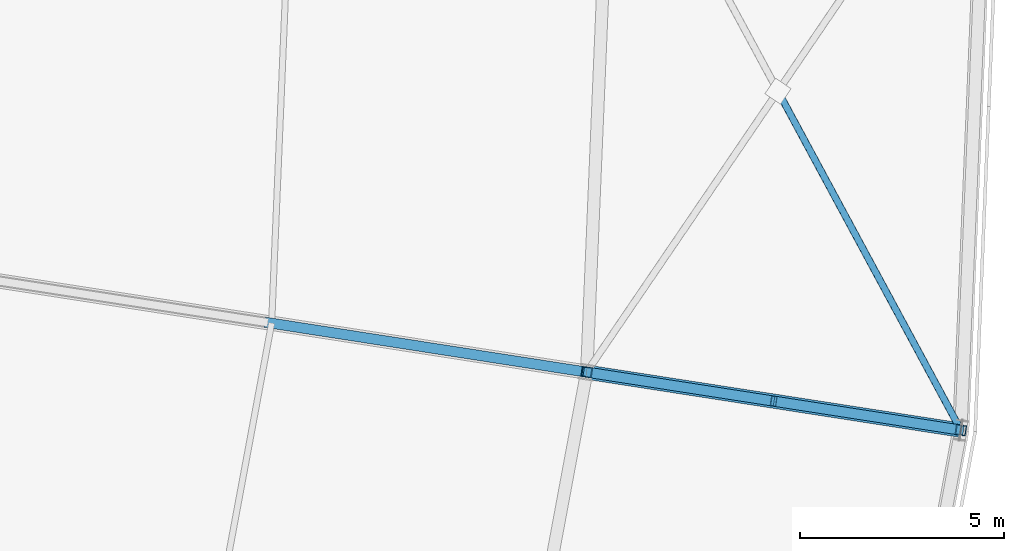
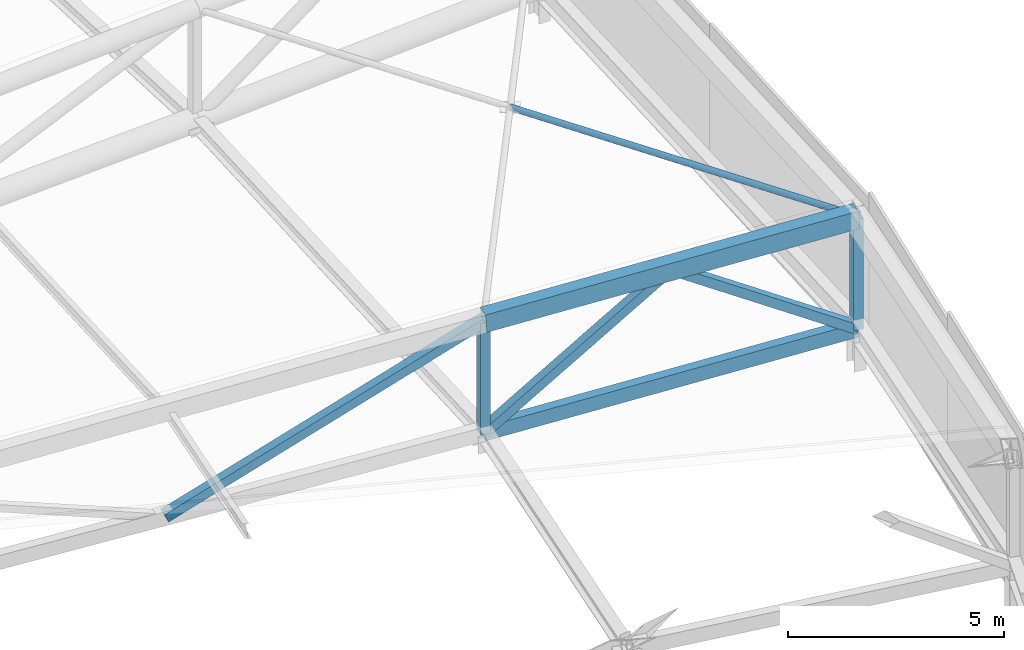
# One storey, part 70 of 143: 6 members, 2 beams.
"""IFC4 building model written with IfcOpenShell, lengths in metres."""

from ifc_helpers import new_model, si_unit, direction, frame, origin, origin_2d, place, context, subcontext, project, spatial, hollow_rectangle, hollow_circle, extrude, material, material_profile, profile_set, type_object, element, save


model = new_model("IFC4")

# Units and contexts
model_context = context("Model", 3, precision=1e-05, world=origin(), true_north=direction((0.0, 1.0)))
body_context = subcontext(model_context, "Body", "Model", "MODEL_VIEW")
ifc_project = project(units=[si_unit("LENGTHUNIT", "METRE"), si_unit("AREAUNIT", "SQUARE_METRE"), si_unit("VOLUMEUNIT", "CUBIC_METRE"), si_unit("PLANEANGLEUNIT", "RADIAN"), si_unit("MASSUNIT", "GRAM", prefix="KILO")], contexts=[model_context])

# Site, building, storey
site_placement = place(None, origin())
site = spatial("IfcSite", under=ifc_project, at=site_placement, CompositionType="ELEMENT")
building_placement = place(site_placement, origin())
building = spatial("IfcBuilding", under=site, at=building_placement, Name="Mphavela Belvedere Stadium", CompositionType="ELEMENT")
storey_placement = place(building_placement, frame((0.0, 0.0, 28.800048828125)))
storey = spatial("IfcBuildingStorey", under=building, at=storey_placement, Name="RF", CompositionType="ELEMENT", Elevation=28.800048828125)

# Beams
ifc_material_1 = material(Name="Steel S355", Category="steel")
ifc_material_profile_1 = material_profile(ifc_material_1, hollow_rectangle(XDim=0.25, YDim=0.39990234375, WallThickness=0.01611328125, at=origin_2d()), Name="RHS 400x250x16")
ifc_profile_set_1 = profile_set([ifc_material_profile_1], Name="Steel S355")
beam_type_1 = type_object("IfcBeamType", Name="BM-TRUSS-BC2", PredefinedType="BEAM", material=ifc_profile_set_1)
beam_1_placement = place(storey_placement, frame((217.155517578125, 71.155029296875, 1.074462890625), z_axis=(-0.986157749242, 0.152968710897, -0.063980208632), x_axis=(-0.153282761586, -0.988182369303, 0.0)))
element("IfcBeam", 1, at=beam_1_placement, inside=storey, type_object=beam_type_1, Name="Radial roof truss RT-48 bottom chord 1", PredefinedType="BEAM", context=body_context, shape_type="SweptSolid", body=[
    extrude(hollow_rectangle(XDim=0.25, YDim=0.39990234375, WallThickness=0.01611328125, at=origin_2d()), origin(), (0.0, 0.0, 1.0), 9.283935546875),
])
ifc_material_2 = material(Name="Steel S355", Category="steel")
ifc_material_profile_2 = material_profile(ifc_material_2, hollow_rectangle(XDim=0.35009765625, YDim=0.5, WallThickness=0.02001953125, at=origin_2d()), Name="RHS 500x350x20")
ifc_profile_set_2 = profile_set([ifc_material_profile_2], Name="Steel S355")
beam_type_2 = type_object("IfcBeamType", Name="BM-TRUSS-TC2", PredefinedType="BEAM", material=ifc_profile_set_2)
beam_2_placement = place(storey_placement, frame((217.155517578125, 71.155029296875, 4.224609375), z_axis=(-0.986156089717, 0.152968453478, -0.064006397759), x_axis=(-0.153282761586, -0.988182369303, 0.0)))
element("IfcBeam", 2, at=beam_2_placement, inside=storey, type_object=beam_type_2, Name="Radial roof truss RT-48 top chord 1", PredefinedType="BEAM", context=body_context, shape_type="SweptSolid", body=[
    extrude(hollow_rectangle(XDim=0.35009765625, YDim=0.5, WallThickness=0.02001953125, at=origin_2d()), origin(), (0.0, 0.0, 1.0), 9.283935546875),
])

# Members
ifc_material_3 = material(Name="Steel S355", Category="steel")
ifc_material_profile_3 = material_profile(ifc_material_3, hollow_rectangle(XDim=0.25, YDim=0.25, WallThickness=0.012451171875, at=origin_2d()), Name="SHS 250x250x12.5")
ifc_profile_set_3 = profile_set([ifc_material_profile_3], Name="Steel S355")
member_type_1 = type_object("IfcMemberType", Name="MEM-POST-SHS250", PredefinedType="POST", material=ifc_profile_set_3)
member_1_placement = place(storey_placement, frame((217.155517578125, 71.155029296875, 1.074462890625), z_axis=(0.0, 0.0, 1.0), x_axis=(0.98817491911, -0.153330783737, 0.0)))
element("IfcMember", 3, at=member_1_placement, inside=storey, type_object=member_type_1, Name="Radial roof truss RT-48 post P1", PredefinedType="POST", context=body_context, shape_type="SweptSolid", body=[
    extrude(hollow_rectangle(XDim=0.25, YDim=0.25, WallThickness=0.012451171875, at=origin_2d()), origin(), (0.0, 0.0, 1.0), 3.150146484375),
])
member_2_placement = place(storey_placement, frame((208.0, 72.5751953125, 0.48046875), z_axis=(0.0, 0.0, 1.0), x_axis=(0.98817491911, -0.153330783737, 0.0)))
element("IfcMember", 4, at=member_2_placement, inside=storey, type_object=member_type_1, Name="Radial roof truss RT-48 post P2", PredefinedType="POST", context=body_context, shape_type="SweptSolid", body=[
    extrude(hollow_rectangle(XDim=0.25, YDim=0.25, WallThickness=0.012451171875, at=origin_2d()), origin(), (0.0, 0.0, 1.0), 3.14990234375),
])
member_3_placement = place(storey_placement, frame((217.155517578125, 71.155029296875, 1.074462890625), z_axis=(-0.841419827389, 0.130491646208, 0.5243897447), x_axis=(-0.153253039077, -0.988186979277, 0.0)))
element("IfcMember", 5, at=member_3_placement, inside=storey, type_object=member_type_1, Name="Radial roof truss RT-48 web diagonal D1", PredefinedType="POST", context=body_context, shape_type="SweptSolid", body=[
    extrude(hollow_rectangle(XDim=0.25, YDim=0.25, WallThickness=0.012451171875, at=origin_2d()), origin(), (0.0, 0.0, 1.0), 5.440673828125),
])
member_4_placement = place(storey_placement, frame((212.57763671875, 71.864990234375, 3.927490234375), z_axis=(-0.79277750949, 0.122996788006, -0.596972035013), x_axis=(-0.153312485264, -0.988177758231, 0.0)))
element("IfcMember", 6, at=member_4_placement, inside=storey, type_object=member_type_1, Name="Radial roof truss RT-48 web diagonal D2", PredefinedType="POST", context=body_context, shape_type="SweptSolid", body=[
    extrude(hollow_rectangle(XDim=0.25, YDim=0.25, WallThickness=0.012451171875, at=origin_2d()), origin(), (0.0, 0.0, 1.0), 5.774169921875),
])
member_5_placement = place(storey_placement, frame((208.0, 72.5751953125, 3.63037109375), z_axis=(-0.902531841022, 0.139967991059, -0.407241006556), x_axis=(-0.153251739391, -0.988187180839, 0.0)))
element("IfcMember", 7, at=member_5_placement, inside=storey, type_object=member_type_1, Name="Radial roof truss RT-48 web diagonal D3", PredefinedType="POST", context=body_context, shape_type="SweptSolid", body=[
    extrude(hollow_rectangle(XDim=0.25, YDim=0.25, WallThickness=0.012451171875, at=origin_2d()), origin(), (0.0, 0.0, 1.0), 8.676025390625),
])
ifc_material_4 = material(Name="Steel S355", Category="steel")
ifc_material_profile_4 = material_profile(ifc_material_4, hollow_circle(Radius=0.084228515625, WallThickness=0.010009765625, at=origin_2d()), Name="CHS 168.3x10")
ifc_profile_set_4 = profile_set([ifc_material_profile_4], Name="Steel S355")
member_type_2 = type_object("IfcMemberType", Name="MEM-ROOF-XBRACE", PredefinedType="BRACE", material=ifc_profile_set_4)
member_6_placement = place(storey_placement, frame((217.155517578125, 71.155029296875, 4.224609375), z_axis=(-0.474495477392, 0.879290615471, -0.04125597507), x_axis=(-0.88003987277, -0.474899802416, 0.0)))
element("IfcMember", 8, at=member_6_placement, inside=storey, type_object=member_type_2, Name="Roof diaphragm split X-brace B1 48", PredefinedType="BRACE", context=body_context, shape_type="SweptSolid", body=[
    extrude(hollow_circle(Radius=0.084228515625, WallThickness=0.010009765625, at=origin_2d()), origin(), (0.0, 0.0, 1.0), 9.432861328125),
])

save(model, "model.ifc")
